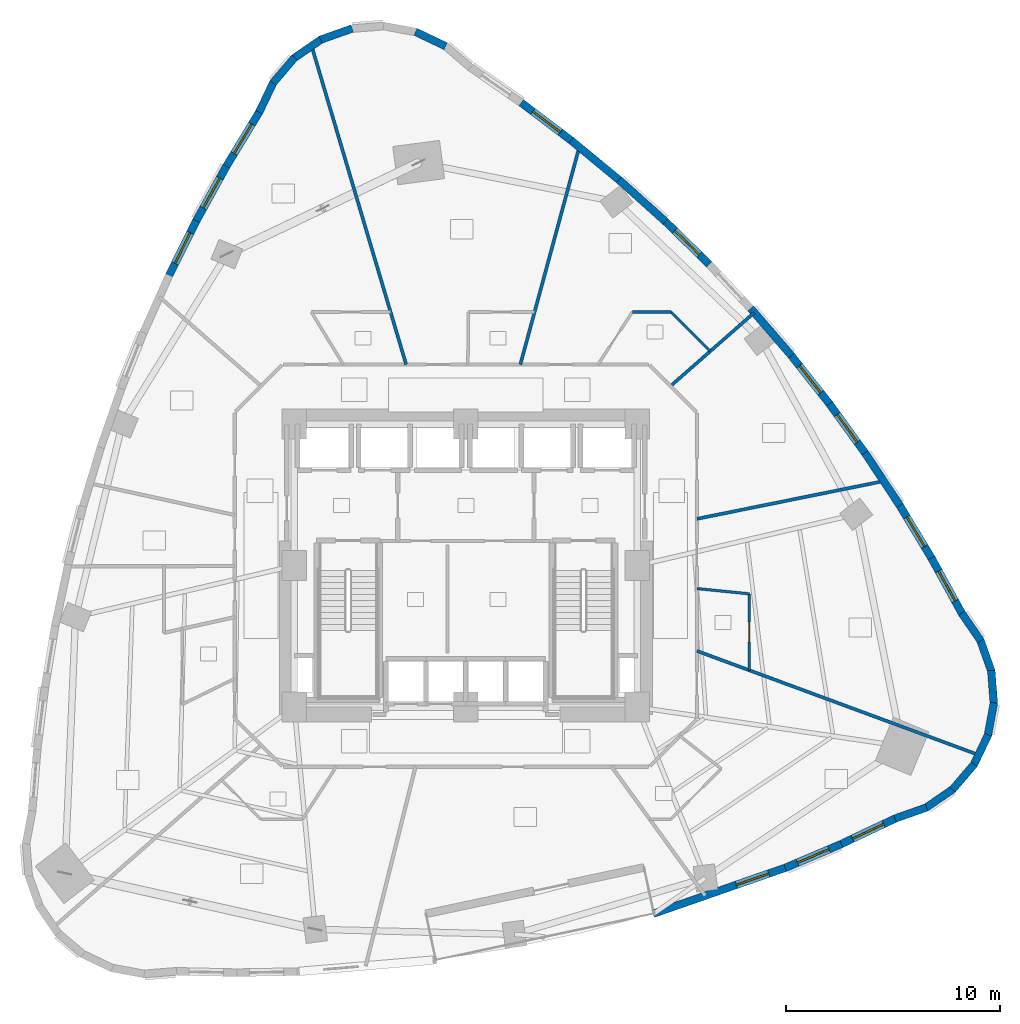
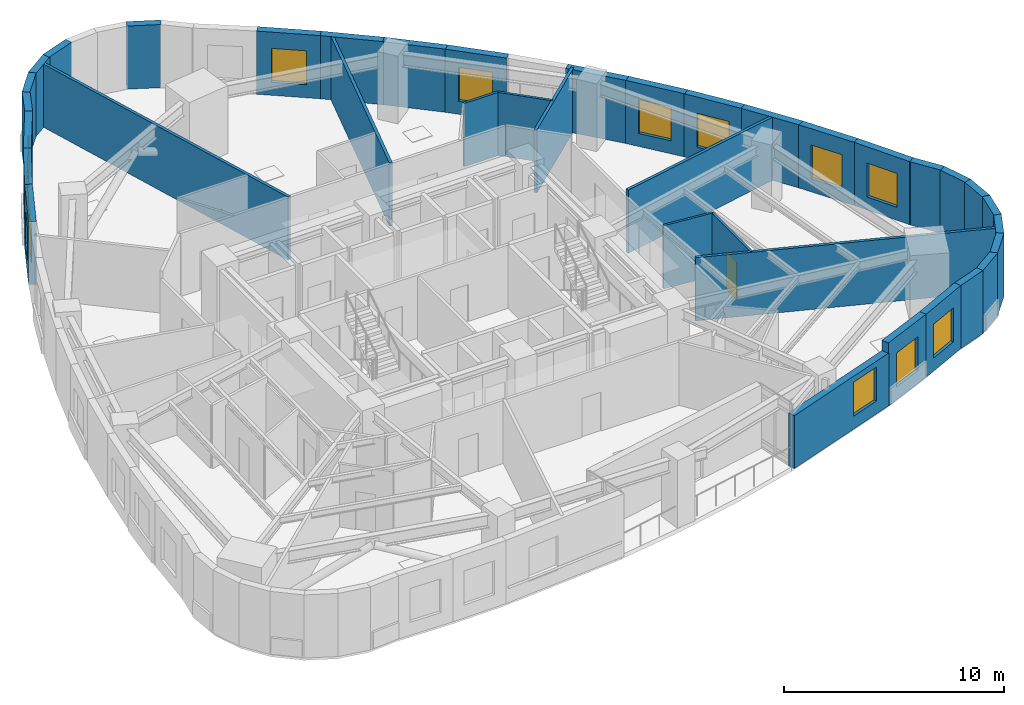
# One storey, part 8 of 12: 38 walls, 12 windows, 1 door, 13 openings.
"""IFC4 building model written with IfcOpenShell, lengths in metres."""

from ifc_helpers import new_model, si_unit, direction, frame, frame_2d, origin, place, context, subcontext, project, spatial, rectangle, extrude, material, layer, layer_set, type_object, element, fill, save


model = new_model("IFC4")

# Units and contexts
model_context = context("Model", 3, precision=1e-05, world=origin(), true_north=direction((0.0, 1.0)))
body_context = subcontext(model_context, "Body", "Model", "MODEL_VIEW")
ifc_project = project(units=[si_unit("LENGTHUNIT", "METRE"), si_unit("AREAUNIT", "SQUARE_METRE"), si_unit("VOLUMEUNIT", "CUBIC_METRE"), si_unit("PLANEANGLEUNIT", "RADIAN"), si_unit("MASSUNIT", "GRAM", prefix="KILO")], contexts=[model_context])

# Site, building, storey
site_placement = place(None, origin())
site = spatial("IfcSite", under=ifc_project, at=site_placement, CompositionType="ELEMENT")
building_placement = place(site_placement, origin())
building = spatial("IfcBuilding", under=site, at=building_placement, Name="Ndelora Gate Hotel", CompositionType="ELEMENT")
storey_placement = place(building_placement, frame((0.0, 0.0, 71.75)))
storey = spatial("IfcBuildingStorey", under=building, at=storey_placement, Name="L17", CompositionType="ELEMENT", Elevation=71.75)

# Walls
ifc_material_1 = material(Name="Clay Brick Masonry", Category="masonry")
ifc_layer_1 = layer(ifc_material_1, 0.360107421875)
ifc_layer_set_1 = layer_set([ifc_layer_1], Name="Clay Brick Masonry")
wall_type_1 = type_object("IfcWallType", Name="WL-BRICK-360", PredefinedType="SOLIDWALL", material=ifc_layer_set_1)
for number, where, z_axis, x_axis, name in (
    (1, (-2.3486328125, 24.90185546875, 0.0), (0.0, 0.0, 1.0), (0.902606480138, -0.430466656099, 0.0), "L17 Tower Brick Pier-and-Spandrel Wall TWR-2"),
    (2, (-6.77490234375, 24.534423828125, 0.0), (0.0, 0.0, 1.0), (0.942618014803, 0.333873146823, 0.0), "L17 Tower Brick Pier-and-Spandrel Wall TWR-5"),
    (3, (-8.019775390625, 23.6708984375, 0.0), (0.0, 0.0, 1.0), (0.824114783412, 0.56642283125, 0.0), "L17 Tower Brick Pier-and-Spandrel Wall TWR-6"),
):
    element("IfcWall", number, at=place(storey_placement, frame(where, z_axis=z_axis, x_axis=x_axis)), inside=storey, type_object=wall_type_1, Name=name, PredefinedType="SOLIDWALL", context=body_context, shape_type="SweptSolid", body=[
        extrude(rectangle(XDim=1.564208984375, YDim=0.360107421875, at=frame_2d((0.7822265625, 0.0))), origin(), (0.0, 0.0, 1.0), 3.5),
    ])
wall_1_placement = place(storey_placement, frame((-8.998779296875, 22.514892578125, 0.0), z_axis=(0.0, 0.0, 1.0), x_axis=(0.649517813113, 0.760346375312, 0.0)))
element("IfcWall", 4, at=wall_1_placement, inside=storey, type_object=wall_type_1, Name="L17 Tower Brick Pier-and-Spandrel Wall TWR-7", PredefinedType="SOLIDWALL", context=body_context, shape_type="SweptSolid", body=[
    extrude(rectangle(XDim=1.56396484375, YDim=0.360107421875, at=frame_2d((0.781982421875, 0.0))), origin(), (0.0, 0.0, 1.0), 3.5),
])
wall_2_placement = place(storey_placement, frame((-9.645263671875, 21.144775390625, 0.0), z_axis=(0.0, 0.0, 1.0), x_axis=(0.43065446152, 0.902516888913, 0.0)))
element("IfcWall", 5, at=wall_2_placement, inside=storey, type_object=wall_type_1, Name="L17 Tower Brick Pier-and-Spandrel Wall TWR-8", PredefinedType="SOLIDWALL", context=body_context, shape_type="SweptSolid", body=[
    extrude(rectangle(XDim=1.564208984375, YDim=0.360107421875, at=frame_2d((0.7822265625, 0.0))), origin(), (0.0, 0.0, 1.0), 3.5),
])

# Wall, opening, window
wall_3_placement = place(storey_placement, frame((-11.170166015625, 18.634521484375, 0.0), z_axis=(0.0, 0.0, 1.0), x_axis=(0.518504575646, 0.855074853469, 0.0)))
wall_3 = element("IfcWall", 6, at=wall_3_placement, inside=storey, type_object=wall_type_1, Name="L17 Tower Brick Pier-and-Spandrel Wall TWR-9", PredefinedType="SOLIDWALL", context=body_context, shape_type="SweptSolid", body=[
    extrude(rectangle(XDim=2.987060546875, YDim=0.360107421875, at=frame_2d((1.49365234375, 0.0))), origin(), (0.0, 0.0, 1.0), 3.5),
])
opening_1_placement = place(wall_3_placement, frame((0.693603515625, 0.0, 0.719970703125)))
opening_1 = element("IfcOpeningElement", 7, at=opening_1_placement, cuts=wall_3, Name="Opening W03", PredefinedType="OPENING", context=body_context, shape_type="SweptSolid", body=[
    extrude(rectangle(XDim=1.60009765625, YDim=1.8798828125, at=frame_2d((0.800048828125, 0.93994140625))), frame((0.0, 0.18994140625, 0.0), z_axis=(0.0, -1.0, 0.0), x_axis=(1.0, 0.0, 0.0)), (0.0, 0.0, 1.0), 0.380126953125),
])
ifc_material_2 = material(Name="Insulated Low-E Double Glazing in Bronze Aluminium Frame", Category="aluminium")
window_type_1 = type_object("IfcWindowType", Name="WN-CORN-2100", PartitioningType="SINGLE_PANEL", PredefinedType="WINDOW", material=ifc_material_2)
window_1_placement = place(opening_1_placement, origin())
window_1 = element("IfcWindow", 8, at=window_1_placement, inside=storey, type_object=window_type_1, Name="L17 Deep-Set Brick-Pier Window W03", OverallHeight=1.8798828125, OverallWidth=1.60009765625, PartitioningType="SINGLE_PANEL", PredefinedType="WINDOW", context=body_context, shape_type="SweptSolid", body=[
    extrude(rectangle(XDim=1.60009765625, YDim=1.8798828125, at=frame_2d((0.800048828125, 0.93994140625))), frame((0.0, 0.030029296875, 0.0), z_axis=(0.0, -1.0, 0.0), x_axis=(1.0, 0.0, 0.0)), (0.0, 0.0, 1.0), 0.06005859375),
])
fill(opening_1, window_1)

wall_4_placement = place(storey_placement, frame((-12.575927734375, 16.0849609375, 0.0), z_axis=(0.0, 0.0, 1.0), x_axis=(0.483184128778, 0.875518759192, 0.0)))
wall_4 = element("IfcWall", 9, at=wall_4_placement, inside=storey, type_object=wall_type_1, Name="L17 Tower Brick Pier-and-Spandrel Wall TWR-10", PredefinedType="SOLIDWALL", context=body_context, shape_type="SweptSolid", body=[
    extrude(rectangle(XDim=2.96142578125, YDim=0.360107421875, at=frame_2d((1.480712890625, 0.0))), origin(), (0.0, 0.0, 1.0), 3.5),
])
opening_2_placement = place(wall_4_placement, frame((0.6806640625, 0.0, 0.719970703125)))
opening_2 = element("IfcOpeningElement", 10, at=opening_2_placement, cuts=wall_4, Name="Opening W01", PredefinedType="OPENING", context=body_context, shape_type="SweptSolid", body=[
    extrude(rectangle(XDim=1.60009765625, YDim=1.8798828125, at=frame_2d((0.800048828125, 0.93994140625))), frame((0.0, 0.18994140625, 0.0), z_axis=(0.0, -1.0, 0.0), x_axis=(1.0, 0.0, 0.0)), (0.0, 0.0, 1.0), 0.380126953125),
])
window_type_2 = type_object("IfcWindowType", Name="WN-DEEP-1600", PartitioningType="SINGLE_PANEL", PredefinedType="WINDOW", material=ifc_material_2)
window_2_placement = place(opening_2_placement, origin())
window_2 = element("IfcWindow", 11, at=window_2_placement, inside=storey, type_object=window_type_2, Name="L17 Deep-Set Brick-Pier Window W01", OverallHeight=1.8798828125, OverallWidth=1.60009765625, PartitioningType="SINGLE_PANEL", PredefinedType="WINDOW", context=body_context, shape_type="SweptSolid", body=[
    extrude(rectangle(XDim=1.60009765625, YDim=1.8798828125, at=frame_2d((0.800048828125, 0.93994140625))), frame((0.0, 0.030029296875, 0.0), z_axis=(0.0, -1.0, 0.0), x_axis=(1.0, 0.0, 0.0)), (0.0, 0.0, 1.0), 0.06005859375),
])
fill(opening_2, window_2)

wall_5_placement = place(storey_placement, frame((-13.865234375, 13.49755859375, 0.0), z_axis=(0.0, 0.0, 1.0), x_axis=(0.446383231338, 0.894841891499, 0.0)))
wall_5 = element("IfcWall", 12, at=wall_5_placement, inside=storey, type_object=wall_type_1, Name="L17 Tower Brick Pier-and-Spandrel Wall TWR-11", PredefinedType="SOLIDWALL", context=body_context, shape_type="SweptSolid", body=[
    extrude(rectangle(XDim=2.94091796875, YDim=0.360107421875, at=frame_2d((1.470458984375, 0.0))), origin(), (0.0, 0.0, 1.0), 3.5),
])
opening_3_placement = place(wall_5_placement, frame((0.67041015625, 0.0, 0.719970703125)))
opening_3 = element("IfcOpeningElement", 13, at=opening_3_placement, cuts=wall_5, Name="Opening W01", PredefinedType="OPENING", context=body_context, shape_type="SweptSolid", body=[
    extrude(rectangle(XDim=1.60009765625, YDim=1.8798828125, at=frame_2d((0.800048828125, 0.93994140625))), frame((0.0, 0.18994140625, 0.0), z_axis=(0.0, -1.0, 0.0), x_axis=(1.0, 0.0, 0.0)), (0.0, 0.0, 1.0), 0.380126953125),
])
window_3_placement = place(opening_3_placement, origin())
window_3 = element("IfcWindow", 14, at=window_3_placement, inside=storey, type_object=window_type_2, Name="L17 Deep-Set Brick-Pier Window W01", OverallHeight=1.8798828125, OverallWidth=1.60009765625, PartitioningType="SINGLE_PANEL", PredefinedType="WINDOW", context=body_context, shape_type="SweptSolid", body=[
    extrude(rectangle(XDim=1.60009765625, YDim=1.8798828125, at=frame_2d((0.800048828125, 0.93994140625))), frame((0.0, 0.030029296875, 0.0), z_axis=(0.0, -1.0, 0.0), x_axis=(1.0, 0.0, 0.0)), (0.0, 0.0, 1.0), 0.06005859375),
])
fill(opening_3, window_3)

wall_6_placement = place(storey_placement, frame((14.9443359375, -14.084228515625, 0.0), z_axis=(0.0, 0.0, 1.0), x_axis=(-0.944459669929, -0.328627344993, 0.0)))
wall_6 = element("IfcWall", 15, at=wall_6_placement, inside=storey, type_object=wall_type_1, Name="L17 Tower Brick Pier-and-Spandrel Wall TWR-36", PredefinedType="SOLIDWALL", context=body_context, shape_type="SweptSolid", body=[
    extrude(rectangle(XDim=6.56591796875, YDim=0.360107421875, at=frame_2d((3.282958984375, 0.0))), origin(), (0.0, 0.0, 1.0), 2.929931640625),
])
opening_4_placement = place(wall_6_placement, frame((0.860107421875, 0.0, 0.719970703125)))
opening_4 = element("IfcOpeningElement", 16, at=opening_4_placement, cuts=wall_6, Name="Opening W01", PredefinedType="OPENING", context=body_context, shape_type="SweptSolid", body=[
    extrude(rectangle(XDim=1.60009765625, YDim=1.8798828125, at=frame_2d((0.800048828125, 0.93994140625))), frame((0.0, 0.18994140625, 0.0), z_axis=(0.0, -1.0, 0.0), x_axis=(1.0, 0.0, 0.0)), (0.0, 0.0, 1.0), 0.380126953125),
])
window_4_placement = place(opening_4_placement, origin())
window_4 = element("IfcWindow", 17, at=window_4_placement, inside=storey, type_object=window_type_2, Name="L17 Deep-Set Brick-Pier Window W01", OverallHeight=1.8798828125, OverallWidth=1.60009765625, PartitioningType="SINGLE_PANEL", PredefinedType="WINDOW", context=body_context, shape_type="SweptSolid", body=[
    extrude(rectangle(XDim=1.60009765625, YDim=1.8798828125, at=frame_2d((0.800048828125, 0.93994140625))), frame((0.0, 0.030029296875, 0.0), z_axis=(0.0, -1.0, 0.0), x_axis=(1.0, 0.0, 0.0)), (0.0, 0.0, 1.0), 0.06005859375),
])
fill(opening_4, window_4)

wall_7_placement = place(storey_placement, frame((17.517333984375, -12.988525390625, 0.0), z_axis=(0.0, 0.0, 1.0), x_axis=(-0.920276879824, -0.391267765681, 0.0)))
wall_7 = element("IfcWall", 18, at=wall_7_placement, inside=storey, type_object=wall_type_1, Name="L17 Tower Brick Pier-and-Spandrel Wall TWR-37", PredefinedType="SOLIDWALL", context=body_context, shape_type="SweptSolid", body=[
    extrude(rectangle(XDim=2.8466796875, YDim=0.360107421875, at=frame_2d((1.42333984375, 0.0))), origin(), (0.0, 0.0, 1.0), 3.5),
])
opening_5_placement = place(wall_7_placement, frame((0.623291015625, 0.0, 0.719970703125)))
opening_5 = element("IfcOpeningElement", 19, at=opening_5_placement, cuts=wall_7, Name="Opening W03", PredefinedType="OPENING", context=body_context, shape_type="SweptSolid", body=[
    extrude(rectangle(XDim=1.60009765625, YDim=1.8798828125, at=frame_2d((0.800048828125, 0.93994140625))), frame((0.0, 0.18994140625, 0.0), z_axis=(0.0, -1.0, 0.0), x_axis=(1.0, 0.0, 0.0)), (0.0, 0.0, 1.0), 0.380126953125),
])
window_5_placement = place(opening_5_placement, origin())
window_5 = element("IfcWindow", 20, at=window_5_placement, inside=storey, type_object=window_type_1, Name="L17 Deep-Set Brick-Pier Window W03", OverallHeight=1.8798828125, OverallWidth=1.60009765625, PartitioningType="SINGLE_PANEL", PredefinedType="WINDOW", context=body_context, shape_type="SweptSolid", body=[
    extrude(rectangle(XDim=1.60009765625, YDim=1.8798828125, at=frame_2d((0.800048828125, 0.93994140625))), frame((0.0, 0.030029296875, 0.0), z_axis=(0.0, -1.0, 0.0), x_axis=(1.0, 0.0, 0.0)), (0.0, 0.0, 1.0), 0.06005859375),
])
fill(opening_5, window_5)

wall_8_placement = place(storey_placement, frame((20.06689453125, -11.783447265625, 0.0), z_axis=(0.0, 0.0, 1.0), x_axis=(-0.904239522863, -0.427025626037, 0.0)))
wall_8 = element("IfcWall", 21, at=wall_8_placement, inside=storey, type_object=wall_type_1, Name="L17 Tower Brick Pier-and-Spandrel Wall TWR-38", PredefinedType="SOLIDWALL", context=body_context, shape_type="SweptSolid", body=[
    extrude(rectangle(XDim=2.8701171875, YDim=0.360107421875, at=frame_2d((1.43505859375, 0.0))), origin(), (0.0, 0.0, 1.0), 3.5),
])
opening_6_placement = place(wall_8_placement, frame((0.635009765625, 0.0, 0.719970703125)))
opening_6 = element("IfcOpeningElement", 22, at=opening_6_placement, cuts=wall_8, Name="Opening W01", PredefinedType="OPENING", context=body_context, shape_type="SweptSolid", body=[
    extrude(rectangle(XDim=1.60009765625, YDim=1.8798828125, at=frame_2d((0.800048828125, 0.93994140625))), frame((0.0, 0.18994140625, 0.0), z_axis=(0.0, -1.0, 0.0), x_axis=(1.0, 0.0, 0.0)), (0.0, 0.0, 1.0), 0.380126953125),
])
window_6_placement = place(opening_6_placement, origin())
window_6 = element("IfcWindow", 23, at=window_6_placement, inside=storey, type_object=window_type_2, Name="L17 Deep-Set Brick-Pier Window W01", OverallHeight=1.8798828125, OverallWidth=1.60009765625, PartitioningType="SINGLE_PANEL", PredefinedType="WINDOW", context=body_context, shape_type="SweptSolid", body=[
    extrude(rectangle(XDim=1.60009765625, YDim=1.8798828125, at=frame_2d((0.800048828125, 0.93994140625))), frame((0.0, 0.030029296875, 0.0), z_axis=(0.0, -1.0, 0.0), x_axis=(1.0, 0.0, 0.0)), (0.0, 0.0, 1.0), 0.06005859375),
])
fill(opening_6, window_6)

# Walls
wall_9_placement = place(storey_placement, frame((21.4951171875, -11.280517578125, 0.0), z_axis=(0.0, 0.0, 1.0), x_axis=(-0.942667130503, -0.333734446931, 0.0)))
element("IfcWall", 24, at=wall_9_placement, inside=storey, type_object=wall_type_1, Name="L17 Tower Brick Pier-and-Spandrel Wall TWR-39", PredefinedType="SOLIDWALL", context=body_context, shape_type="SweptSolid", body=[
    extrude(rectangle(XDim=1.56396484375, YDim=0.360107421875, at=frame_2d((0.781982421875, 0.0))), origin(), (0.0, 0.0, 1.0), 3.5),
])
wall_10_placement = place(storey_placement, frame((22.739990234375, -10.4169921875, 0.0), z_axis=(0.0, 0.0, 1.0), x_axis=(-0.824114783412, -0.56642283125, 0.0)))
element("IfcWall", 25, at=wall_10_placement, inside=storey, type_object=wall_type_1, Name="L17 Tower Brick Pier-and-Spandrel Wall TWR-40", PredefinedType="SOLIDWALL", context=body_context, shape_type="SweptSolid", body=[
    extrude(rectangle(XDim=1.564208984375, YDim=0.360107421875, at=frame_2d((0.7822265625, 0.0))), origin(), (0.0, 0.0, 1.0), 3.5),
])
wall_11_placement = place(storey_placement, frame((23.718994140625, -9.260986328125, 0.0), z_axis=(0.0, 0.0, 1.0), x_axis=(-0.649517813113, -0.760346375312, 0.0)))
element("IfcWall", 26, at=wall_11_placement, inside=storey, type_object=wall_type_1, Name="L17 Tower Brick Pier-and-Spandrel Wall TWR-41", PredefinedType="SOLIDWALL", context=body_context, shape_type="SweptSolid", body=[
    extrude(rectangle(XDim=1.56396484375, YDim=0.360107421875, at=frame_2d((0.781982421875, 0.0))), origin(), (0.0, 0.0, 1.0), 3.5),
])
for number, where, z_axis, x_axis, name in (
    (27, (24.365234375, -7.890625, 0.0), (0.0, 0.0, 1.0), (-0.430466656099, -0.902606480138, 0.0), "L17 Tower Brick Pier-and-Spandrel Wall TWR-42"),
    (28, (24.635009765625, -6.39990234375, 0.0), (0.0, 0.0, 1.0), (-0.18229045082, -0.983244726169, 0.0), "L17 Tower Brick Pier-and-Spandrel Wall TWR-43"),
    (29, (24.509521484375, -4.89013671875, 0.0), (0.0, 0.0, 1.0), (0.078510627557, -0.99691327675, 0.0), "L17 Tower Brick Pier-and-Spandrel Wall TWR-44"),
):
    element("IfcWall", number, at=place(storey_placement, frame(where, z_axis=z_axis, x_axis=x_axis)), inside=storey, type_object=wall_type_1, Name=name, PredefinedType="SOLIDWALL", context=body_context, shape_type="SweptSolid", body=[
        extrude(rectangle(XDim=1.564208984375, YDim=0.360107421875, at=frame_2d((0.7822265625, 0.0))), origin(), (0.0, 0.0, 1.0), 3.5),
    ])
wall_12_placement = place(storey_placement, frame((23.997802734375, -3.464111328125, 0.0), z_axis=(0.0, 0.0, 1.0), x_axis=(0.333824030251, -0.94263541034, 0.0)))
element("IfcWall", 30, at=wall_12_placement, inside=storey, type_object=wall_type_1, Name="L17 Tower Brick Pier-and-Spandrel Wall TWR-45", PredefinedType="SOLIDWALL", context=body_context, shape_type="SweptSolid", body=[
    extrude(rectangle(XDim=1.564453125, YDim=0.360107421875, at=frame_2d((0.7822265625, 0.0))), origin(), (0.0, 0.0, 1.0), 3.5),
])
wall_13_placement = place(storey_placement, frame((23.134521484375, -2.219482421875, 0.0), z_axis=(0.0, 0.0, 1.0), x_axis=(0.566495697246, -0.824064697097, 0.0)))
element("IfcWall", 31, at=wall_13_placement, inside=storey, type_object=wall_type_1, Name="L17 Tower Brick Pier-and-Spandrel Wall TWR-46", PredefinedType="SOLIDWALL", context=body_context, shape_type="SweptSolid", body=[
    extrude(rectangle(XDim=1.56396484375, YDim=0.360107421875, at=frame_2d((0.781982421875, 0.0))), origin(), (0.0, 0.0, 1.0), 3.5),
])

# Wall, opening, window
wall_14_placement = place(storey_placement, frame((21.72314453125, 0.3564453125, 0.0), z_axis=(0.0, 0.0, 1.0), x_axis=(0.481244034987, -0.876586663593, 0.0)))
wall_14 = element("IfcWall", 32, at=wall_14_placement, inside=storey, type_object=wall_type_1, Name="L17 Tower Brick Pier-and-Spandrel Wall TWR-47", PredefinedType="SOLIDWALL", context=body_context, shape_type="SweptSolid", body=[
    extrude(rectangle(XDim=2.987060546875, YDim=0.360107421875, at=frame_2d((1.49365234375, 0.0))), origin(), (0.0, 0.0, 1.0), 3.5),
])
opening_7_placement = place(wall_14_placement, frame((0.693603515625, 0.0, 0.719970703125)))
opening_7 = element("IfcOpeningElement", 33, at=opening_7_placement, cuts=wall_14, Name="Opening W01", PredefinedType="OPENING", context=body_context, shape_type="SweptSolid", body=[
    extrude(rectangle(XDim=1.60009765625, YDim=1.8798828125, at=frame_2d((0.800048828125, 0.93994140625))), frame((0.0, 0.18994140625, 0.0), z_axis=(0.0, -1.0, 0.0), x_axis=(1.0, 0.0, 0.0)), (0.0, 0.0, 1.0), 0.380126953125),
])
window_7_placement = place(opening_7_placement, origin())
window_7 = element("IfcWindow", 34, at=window_7_placement, inside=storey, type_object=window_type_2, Name="L17 Deep-Set Brick-Pier Window W01", OverallHeight=1.8798828125, OverallWidth=1.60009765625, PartitioningType="SINGLE_PANEL", PredefinedType="WINDOW", context=body_context, shape_type="SweptSolid", body=[
    extrude(rectangle(XDim=1.60009765625, YDim=1.8798828125, at=frame_2d((0.800048828125, 0.93994140625))), frame((0.0, 0.030029296875, 0.0), z_axis=(0.0, -1.0, 0.0), x_axis=(1.0, 0.0, 0.0)), (0.0, 0.0, 1.0), 0.06005859375),
])
fill(opening_7, window_7)

wall_15_placement = place(storey_placement, frame((20.218017578125, 2.848388671875, 0.0), z_axis=(0.0, 0.0, 1.0), x_axis=(0.516676429869, -0.856180744246, 0.0)))
wall_15 = element("IfcWall", 35, at=wall_15_placement, inside=storey, type_object=wall_type_1, Name="L17 Tower Brick Pier-and-Spandrel Wall TWR-48", PredefinedType="SOLIDWALL", context=body_context, shape_type="SweptSolid", body=[
    extrude(rectangle(XDim=2.961181640625, YDim=0.360107421875, at=frame_2d((1.48046875, 0.0))), origin(), (0.0, 0.0, 1.0), 3.5),
])
opening_8_placement = place(wall_15_placement, frame((0.6806640625, 0.0, 0.719970703125)))
opening_8 = element("IfcOpeningElement", 36, at=opening_8_placement, cuts=wall_15, Name="Opening W01", PredefinedType="OPENING", context=body_context, shape_type="SweptSolid", body=[
    extrude(rectangle(XDim=1.60009765625, YDim=1.8798828125, at=frame_2d((0.800048828125, 0.93994140625))), frame((0.0, 0.18994140625, 0.0), z_axis=(0.0, -1.0, 0.0), x_axis=(1.0, 0.0, 0.0)), (0.0, 0.0, 1.0), 0.380126953125),
])
window_8_placement = place(opening_8_placement, origin())
window_8 = element("IfcWindow", 37, at=window_8_placement, inside=storey, type_object=window_type_2, Name="L17 Deep-Set Brick-Pier Window W01", OverallHeight=1.8798828125, OverallWidth=1.60009765625, PartitioningType="SINGLE_PANEL", PredefinedType="WINDOW", context=body_context, shape_type="SweptSolid", body=[
    extrude(rectangle(XDim=1.60009765625, YDim=1.8798828125, at=frame_2d((0.800048828125, 0.93994140625))), frame((0.0, 0.030029296875, 0.0), z_axis=(0.0, -1.0, 0.0), x_axis=(1.0, 0.0, 0.0)), (0.0, 0.0, 1.0), 0.06005859375),
])
fill(opening_8, window_8)

# Wall
wall_16_placement = place(storey_placement, frame((18.621826171875, 5.2587890625, 0.0), z_axis=(0.0, 0.0, 1.0), x_axis=(0.55184227767, -0.833948499954, 0.0)))
element("IfcWall", 38, at=wall_16_placement, inside=storey, type_object=wall_type_1, Name="L17 Tower Brick Pier-and-Spandrel Wall TWR-49", PredefinedType="SOLIDWALL", context=body_context, shape_type="SweptSolid", body=[
    extrude(rectangle(XDim=2.940673828125, YDim=0.360107421875, at=frame_2d((1.47021484375, 0.0))), origin(), (0.0, 0.0, 1.0), 3.5),
])

# Wall, opening, window
wall_17_placement = place(storey_placement, frame((16.93505859375, 7.58740234375, 0.0), z_axis=(0.0, 0.0, 1.0), x_axis=(0.586373875889, -0.81004054076, 0.0)))
wall_17 = element("IfcWall", 39, at=wall_17_placement, inside=storey, type_object=wall_type_1, Name="L17 Tower Brick Pier-and-Spandrel Wall TWR-50", PredefinedType="SOLIDWALL", context=body_context, shape_type="SweptSolid", body=[
    extrude(rectangle(XDim=2.92529296875, YDim=0.360107421875, at=frame_2d((1.462646484375, 0.0))), origin(), (0.0, 0.0, 1.0), 3.5),
])
opening_9_placement = place(wall_17_placement, frame((0.66259765625, 0.0, 0.719970703125)))
opening_9 = element("IfcOpeningElement", 40, at=opening_9_placement, cuts=wall_17, Name="Opening W01", PredefinedType="OPENING", context=body_context, shape_type="SweptSolid", body=[
    extrude(rectangle(XDim=1.60009765625, YDim=1.8798828125, at=frame_2d((0.800048828125, 0.93994140625))), frame((0.0, 0.18994140625, 0.0), z_axis=(0.0, -1.0, 0.0), x_axis=(1.0, 0.0, 0.0)), (0.0, 0.0, 1.0), 0.380126953125),
])
window_9_placement = place(opening_9_placement, origin())
window_9 = element("IfcWindow", 41, at=window_9_placement, inside=storey, type_object=window_type_2, Name="L17 Deep-Set Brick-Pier Window W01", OverallHeight=1.8798828125, OverallWidth=1.60009765625, PartitioningType="SINGLE_PANEL", PredefinedType="WINDOW", context=body_context, shape_type="SweptSolid", body=[
    extrude(rectangle(XDim=1.60009765625, YDim=1.8798828125, at=frame_2d((0.800048828125, 0.93994140625))), frame((0.0, 0.030029296875, 0.0), z_axis=(0.0, -1.0, 0.0), x_axis=(1.0, 0.0, 0.0)), (0.0, 0.0, 1.0), 0.06005859375),
])
fill(opening_9, window_9)

wall_18_placement = place(storey_placement, frame((15.157470703125, 9.833984375, 0.0), z_axis=(0.0, 0.0, 1.0), x_axis=(0.62019003534, -0.784451604667, 0.0)))
wall_18 = element("IfcWall", 42, at=wall_18_placement, inside=storey, type_object=wall_type_1, Name="L17 Tower Brick Pier-and-Spandrel Wall TWR-51", PredefinedType="SOLIDWALL", context=body_context, shape_type="SweptSolid", body=[
    extrude(rectangle(XDim=2.91455078125, YDim=0.360107421875, at=frame_2d((1.457275390625, 0.0))), origin(), (0.0, 0.0, 1.0), 3.5),
])
opening_10_placement = place(wall_18_placement, frame((0.657470703125, 0.0, 0.719970703125)))
opening_10 = element("IfcOpeningElement", 43, at=opening_10_placement, cuts=wall_18, Name="Opening W01", PredefinedType="OPENING", context=body_context, shape_type="SweptSolid", body=[
    extrude(rectangle(XDim=1.60009765625, YDim=1.8798828125, at=frame_2d((0.800048828125, 0.93994140625))), frame((0.0, 0.18994140625, 0.0), z_axis=(0.0, -1.0, 0.0), x_axis=(1.0, 0.0, 0.0)), (0.0, 0.0, 1.0), 0.380126953125),
])
window_10_placement = place(opening_10_placement, origin())
window_10 = element("IfcWindow", 44, at=window_10_placement, inside=storey, type_object=window_type_2, Name="L17 Deep-Set Brick-Pier Window W01", OverallHeight=1.8798828125, OverallWidth=1.60009765625, PartitioningType="SINGLE_PANEL", PredefinedType="WINDOW", context=body_context, shape_type="SweptSolid", body=[
    extrude(rectangle(XDim=1.60009765625, YDim=1.8798828125, at=frame_2d((0.800048828125, 0.93994140625))), frame((0.0, 0.030029296875, 0.0), z_axis=(0.0, -1.0, 0.0), x_axis=(1.0, 0.0, 0.0)), (0.0, 0.0, 1.0), 0.06005859375),
])
fill(opening_10, window_10)

# Wall
wall_19_placement = place(storey_placement, frame((13.288818359375, 11.9990234375, 0.0), z_axis=(0.0, 0.0, 1.0), x_axis=(0.653123840967, -0.757251113146, 0.0)))
element("IfcWall", 45, at=wall_19_placement, inside=storey, type_object=wall_type_1, Name="L17 Tower Brick Pier-and-Spandrel Wall TWR-52", PredefinedType="SOLIDWALL", context=body_context, shape_type="SweptSolid", body=[
    extrude(rectangle(XDim=2.90966796875, YDim=0.360107421875, at=frame_2d((1.454833984375, 0.0))), origin(), (0.0, 0.0, 1.0), 3.5),
])

# Wall, opening, window
wall_20_placement = place(storey_placement, frame((9.279541015625, 16.083251953125, 0.0), z_axis=(0.0, 0.0, 1.0), x_axis=(0.715308991841, -0.698808304324, 0.0)))
wall_20 = element("IfcWall", 46, at=wall_20_placement, inside=storey, type_object=wall_type_1, Name="L17 Tower Brick Pier-and-Spandrel Wall TWR-54", PredefinedType="SOLIDWALL", context=body_context, shape_type="SweptSolid", body=[
    extrude(rectangle(XDim=2.914794921875, YDim=0.360107421875, at=frame_2d((1.45751953125, 0.0))), origin(), (0.0, 0.0, 1.0), 3.5),
])
opening_11_placement = place(wall_20_placement, frame((0.657470703125, 0.0, 0.719970703125)))
opening_11 = element("IfcOpeningElement", 47, at=opening_11_placement, cuts=wall_20, Name="Opening W01", PredefinedType="OPENING", context=body_context, shape_type="SweptSolid", body=[
    extrude(rectangle(XDim=1.60009765625, YDim=1.8798828125, at=frame_2d((0.800048828125, 0.93994140625))), frame((0.0, 0.18994140625, 0.0), z_axis=(0.0, -1.0, 0.0), x_axis=(1.0, 0.0, 0.0)), (0.0, 0.0, 1.0), 0.380126953125),
])
window_11_placement = place(opening_11_placement, origin())
window_11 = element("IfcWindow", 48, at=window_11_placement, inside=storey, type_object=window_type_2, Name="L17 Deep-Set Brick-Pier Window W01", OverallHeight=1.8798828125, OverallWidth=1.60009765625, PartitioningType="SINGLE_PANEL", PredefinedType="WINDOW", context=body_context, shape_type="SweptSolid", body=[
    extrude(rectangle(XDim=1.60009765625, YDim=1.8798828125, at=frame_2d((0.800048828125, 0.93994140625))), frame((0.0, 0.030029296875, 0.0), z_axis=(0.0, -1.0, 0.0), x_axis=(1.0, 0.0, 0.0)), (0.0, 0.0, 1.0), 0.06005859375),
])
fill(opening_11, window_11)

# Walls
wall_21_placement = place(storey_placement, frame((7.138671875, 18.002685546875, 0.0), z_axis=(0.0, 0.0, 1.0), x_axis=(0.744297597045, -0.667848101767, 0.0)))
element("IfcWall", 49, at=wall_21_placement, inside=storey, type_object=wall_type_1, Name="L17 Tower Brick Pier-and-Spandrel Wall TWR-55", PredefinedType="SOLIDWALL", context=body_context, shape_type="SweptSolid", body=[
    extrude(rectangle(XDim=2.92529296875, YDim=0.360107421875, at=frame_2d((1.462646484375, 0.0))), origin(), (0.0, 0.0, 1.0), 3.5),
])
wall_22_placement = place(storey_placement, frame((4.906982421875, 19.84033203125, 0.0), z_axis=(0.0, 0.0, 1.0), x_axis=(0.771748074842, -0.635928383529, 0.0)))
element("IfcWall", 50, at=wall_22_placement, inside=storey, type_object=wall_type_1, Name="L17 Tower Brick Pier-and-Spandrel Wall TWR-56", PredefinedType="SOLIDWALL", context=body_context, shape_type="SweptSolid", body=[
    extrude(rectangle(XDim=2.940673828125, YDim=0.360107421875, at=frame_2d((1.47021484375, 0.0))), origin(), (0.0, 0.0, 1.0), 3.5),
])

# Wall, opening, window
wall_23_placement = place(storey_placement, frame((2.584716796875, 21.59619140625, 0.0), z_axis=(0.0, 0.0, 1.0), x_axis=(0.797450341729, -0.603384580907, 0.0)))
wall_23 = element("IfcWall", 51, at=wall_23_placement, inside=storey, type_object=wall_type_1, Name="L17 Tower Brick Pier-and-Spandrel Wall TWR-57", PredefinedType="SOLIDWALL", context=body_context, shape_type="SweptSolid", body=[
    extrude(rectangle(XDim=2.96142578125, YDim=0.360107421875, at=frame_2d((1.480712890625, 0.0))), origin(), (0.0, 0.0, 1.0), 3.5),
])
opening_12_placement = place(wall_23_placement, frame((0.6806640625, 0.0, 0.719970703125)))
opening_12 = element("IfcOpeningElement", 52, at=opening_12_placement, cuts=wall_23, Name="Opening W03", PredefinedType="OPENING", context=body_context, shape_type="SweptSolid", body=[
    extrude(rectangle(XDim=1.60009765625, YDim=1.8798828125, at=frame_2d((0.800048828125, 0.93994140625))), frame((0.0, 0.18994140625, 0.0), z_axis=(0.0, -1.0, 0.0), x_axis=(1.0, 0.0, 0.0)), (0.0, 0.0, 1.0), 0.380126953125),
])
window_12_placement = place(opening_12_placement, origin())
window_12 = element("IfcWindow", 53, at=window_12_placement, inside=storey, type_object=window_type_1, Name="L17 Deep-Set Brick-Pier Window W03", OverallHeight=1.8798828125, OverallWidth=1.60009765625, PartitioningType="SINGLE_PANEL", PredefinedType="WINDOW", context=body_context, shape_type="SweptSolid", body=[
    extrude(rectangle(XDim=1.60009765625, YDim=1.8798828125, at=frame_2d((0.800048828125, 0.93994140625))), frame((0.0, 0.030029296875, 0.0), z_axis=(0.0, -1.0, 0.0), x_axis=(1.0, 0.0, 0.0)), (0.0, 0.0, 1.0), 0.06005859375),
])
fill(opening_12, window_12)

# Walls
ifc_material_3 = material(Name="Fire-Rated Gypsum Stud Partition", Category="gypsum")
ifc_layer_2 = layer(ifc_material_3, 0.14990234375)
ifc_layer_set_2 = layer_set([ifc_layer_2], Name="Fire-Rated Gypsum Stud Partition")
wall_type_2 = type_object("IfcWallType", Name="WL-PART-150", PredefinedType="PARTITIONING", material=ifc_layer_set_2)
wall_24_placement = place(storey_placement, frame((10.780029296875, -3.97998046875, 0.0), z_axis=(0.0, 0.0, 1.0), x_axis=(0.938109546053, -0.346338677604, 0.0)))
element("IfcWall", 54, at=wall_24_placement, inside=storey, type_object=wall_type_2, Name="L17 Interior Wall IW-5", PredefinedType="PARTITIONING", context=body_context, shape_type="SweptSolid", body=[
    extrude(rectangle(XDim=14.00390625, YDim=0.14990234375, at=frame_2d((7.001953125, 0.0))), origin(), (0.0, 0.0, 1.0), 3.5),
])
wall_25_placement = place(storey_placement, frame((10.780029296875, 2.180419921875, 0.0), z_axis=(0.0, 0.0, 1.0), x_axis=(0.980159069469, 0.198212508528, 0.0)))
element("IfcWall", 55, at=wall_25_placement, inside=storey, type_object=wall_type_2, Name="L17 Interior Wall IW-5", PredefinedType="PARTITIONING", context=body_context, shape_type="SweptSolid", body=[
    extrude(rectangle(XDim=8.88916015625, YDim=0.14990234375, at=frame_2d((4.444580078125, 0.0))), origin(), (0.0, 0.0, 1.0), 3.5),
])
wall_26_placement = place(storey_placement, frame((9.552490234375, 8.37744140625, 0.0), z_axis=(0.0, 0.0, 1.0), x_axis=(0.751836766188, 0.659349283012, 0.0)))
element("IfcWall", 56, at=wall_26_placement, inside=storey, type_object=wall_type_2, Name="L17 Interior Wall IW-5", PredefinedType="PARTITIONING", context=body_context, shape_type="SweptSolid", body=[
    extrude(rectangle(XDim=5.195068359375, YDim=0.14990234375, at=frame_2d((2.59765625, 0.0))), origin(), (0.0, 0.0, 1.0), 3.5),
])
wall_27_placement = place(storey_placement, frame((2.543212890625, 9.3798828125, 0.0), z_axis=(0.0, 0.0, 1.0), x_axis=(0.26169188867, 0.965151467597, 0.0)))
element("IfcWall", 57, at=wall_27_placement, inside=storey, type_object=wall_type_2, Name="L17 Interior Wall IW-5", PredefinedType="PARTITIONING", context=body_context, shape_type="SweptSolid", body=[
    extrude(rectangle(XDim=10.508544921875, YDim=0.14990234375, at=frame_2d((5.25439453125, 0.0))), origin(), (0.0, 0.0, 1.0), 3.5),
])
wall_28_placement = place(storey_placement, frame((-2.783447265625, 9.3798828125, 0.0), z_axis=(0.0, 0.0, 1.0), x_axis=(-0.284496959379, 0.958676942512, 0.0)))
element("IfcWall", 58, at=wall_28_placement, inside=storey, type_object=wall_type_2, Name="L17 Interior Wall IW-5", PredefinedType="PARTITIONING", context=body_context, shape_type="SweptSolid", body=[
    extrude(rectangle(XDim=15.499755859375, YDim=0.14990234375, at=frame_2d((7.75, 0.0))), origin(), (0.0, 0.0, 1.0), 3.5),
])
ifc_material_4 = material(Name="Moisture-Resistant Bathroom Tile Partition", Category="gypsum")
ifc_layer_3 = layer(ifc_material_4, 0.1201171875)
ifc_layer_set_3 = layer_set([ifc_layer_3], Name="Moisture-Resistant Bathroom Tile Partition")
wall_type_3 = type_object("IfcWallType", Name="WL-WET-120", PredefinedType="PARTITIONING", material=ifc_layer_set_3)
wall_29_placement = place(storey_placement, frame((13.22998046875, -1.316650390625, 0.0), z_axis=(0.0, 0.0, 1.0), x_axis=(-0.995081272799, 0.099061902494, 0.0)))
element("IfcWall", 59, at=wall_29_placement, inside=storey, type_object=wall_type_3, Name="L17 Interior Wall IW-7", PredefinedType="PARTITIONING", context=body_context, shape_type="SweptSolid", body=[
    extrude(rectangle(XDim=2.462158203125, YDim=0.1201171875, at=frame_2d((1.23095703125, 0.0))), origin(), (0.0, 0.0, 1.0), 3.5),
])

# Wall, opening, door
wall_30_placement = place(storey_placement, frame((13.22998046875, -1.316650390625, 0.0), z_axis=(0.0, 0.0, 1.0), x_axis=(0.0, -1.0, 0.0)))
wall_30 = element("IfcWall", 60, at=wall_30_placement, inside=storey, type_object=wall_type_3, Name="L17 Interior Wall IW-7", PredefinedType="PARTITIONING", context=body_context, shape_type="SweptSolid", body=[
    extrude(rectangle(XDim=3.56787109375, YDim=0.1201171875, at=frame_2d((1.783935546875, 0.0))), origin(), (0.0, 0.0, 1.0), 3.5),
])
opening_13_placement = place(wall_30_placement, frame((1.323974609375, 0.0, 0.0)))
opening_13 = element("IfcOpeningElement", 61, at=opening_13_placement, cuts=wall_30, Name="Opening D03", PredefinedType="OPENING", context=body_context, shape_type="SweptSolid", body=[
    extrude(rectangle(XDim=0.919921875, YDim=2.10009765625, at=frame_2d((0.4599609375, 1.050048828125))), frame((0.0, 0.070068359375, 0.0), z_axis=(0.0, -1.0, 0.0), x_axis=(1.0, 0.0, 0.0)), (0.0, 0.0, 1.0), 0.14013671875),
])
ifc_material_5 = material(Name="Moisture-Resistant Hardwood En-Suite Door", Category="wood")
door_type = type_object("IfcDoorType", Name="DR-BATH-920", OperationType="SINGLE_SWING_LEFT", PredefinedType="DOOR", material=ifc_material_5)
door_placement = place(opening_13_placement, origin())
door = element("IfcDoor", 62, at=door_placement, inside=storey, type_object=door_type, Name="L17 En-suite Bathroom 2004 Door", OperationType="SINGLE_SWING_LEFT", OverallHeight=2.10009765625, OverallWidth=0.919921875, PredefinedType="DOOR", context=body_context, shape_type="SweptSolid", body=[
    extrude(rectangle(XDim=0.919921875, YDim=2.10009765625, at=frame_2d((0.4599609375, 1.050048828125))), frame((0.0, 0.02490234375, 0.0), z_axis=(0.0, -1.0, 0.0), x_axis=(1.0, 0.0, 0.0)), (0.0, 0.0, 1.0), 0.050048828125),
])
fill(opening_13, door)

# Walls
wall_31_placement = place(storey_placement, frame((7.771728515625, 11.830078125, 0.0), z_axis=(0.0, 0.0, 1.0), x_axis=(1.0, 0.0, 0.0)))
element("IfcWall", 63, at=wall_31_placement, inside=storey, type_object=wall_type_3, Name="L17 Interior Wall IW-7", PredefinedType="PARTITIONING", context=body_context, shape_type="SweptSolid", body=[
    extrude(rectangle(XDim=1.79296875, YDim=0.1201171875, at=frame_2d((0.896484375, 0.0))), origin(), (0.0, 0.0, 1.0), 3.5),
])
wall_32_placement = place(storey_placement, frame((11.3984375, 9.996337890625, 0.0), z_axis=(0.0, 0.0, 1.0), x_axis=(-0.707106781187, 0.707106781187, 0.0)))
element("IfcWall", 64, at=wall_32_placement, inside=storey, type_object=wall_type_3, Name="L17 Interior Wall IW-7", PredefinedType="PARTITIONING", context=body_context, shape_type="SweptSolid", body=[
    extrude(rectangle(XDim=2.59326171875, YDim=0.1201171875, at=frame_2d((1.296630859375, 0.0))), origin(), (0.0, 0.0, 1.0), 3.5),
])

save(model, "model.ifc")
